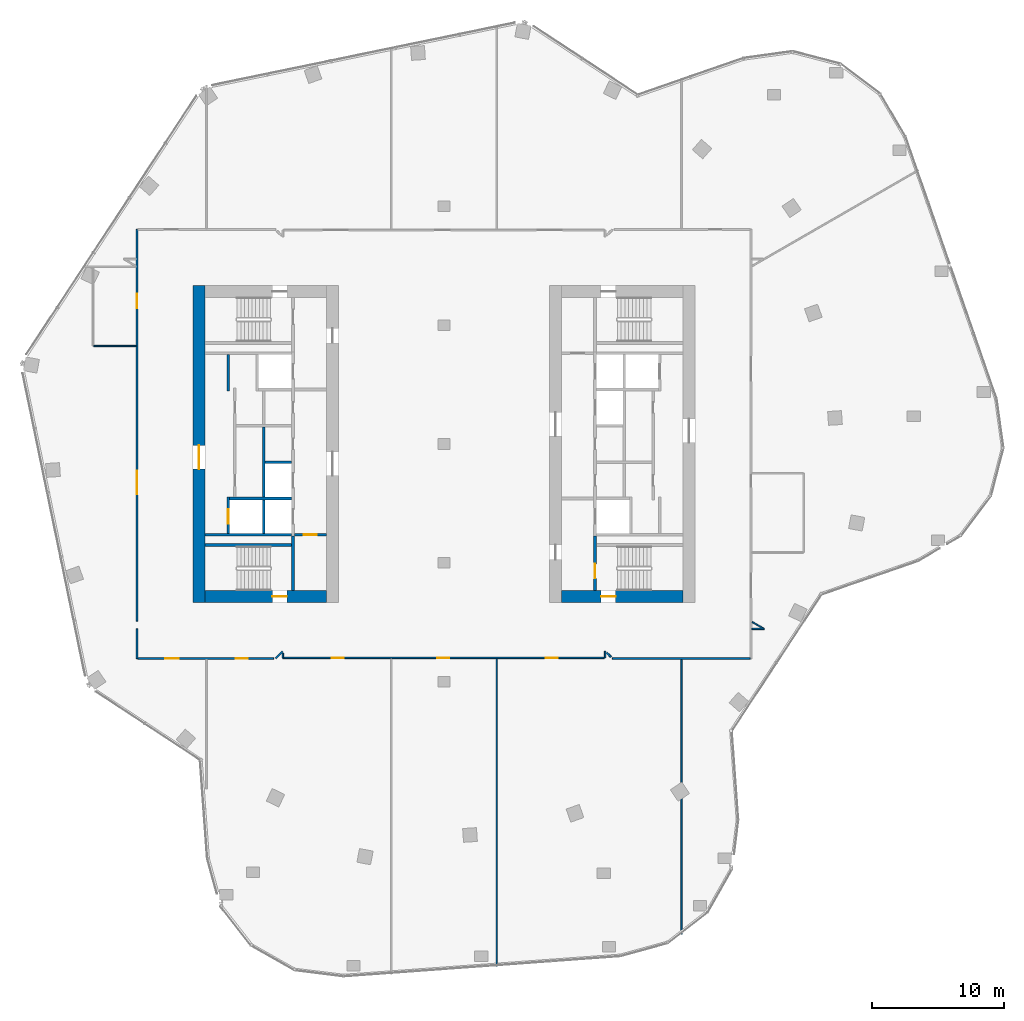
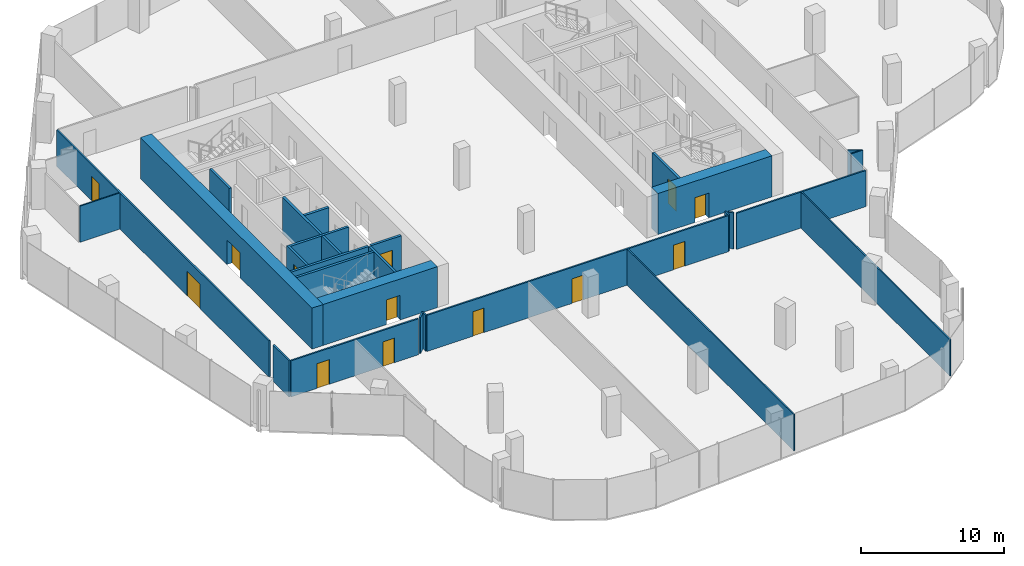
# One storey, part 18 of 24: 28 walls, 13 doors, 13 openings.
"""IFC4 building model written with IfcOpenShell, lengths in metres."""

from ifc_helpers import new_model, si_unit, direction, frame, frame_2d, origin, place, context, subcontext, project, spatial, rectangle, extrude, material, layer, layer_set, type_object, element, fill, save


model = new_model("IFC4")

# Units and contexts
model_context = context("Model", 3, precision=1e-05, world=origin(), true_north=direction((0.0, 1.0)))
body_context = subcontext(model_context, "Body", "Model", "MODEL_VIEW")
ifc_project = project(units=[si_unit("LENGTHUNIT", "METRE"), si_unit("AREAUNIT", "SQUARE_METRE"), si_unit("VOLUMEUNIT", "CUBIC_METRE"), si_unit("PLANEANGLEUNIT", "RADIAN"), si_unit("MASSUNIT", "GRAM", prefix="KILO")], contexts=[model_context])

# Site, building, storey
site_placement = place(None, origin())
site = spatial("IfcSite", under=ifc_project, at=site_placement, CompositionType="ELEMENT")
building_placement = place(site_placement, origin())
building = spatial("IfcBuilding", under=site, at=building_placement, Name="Orlundy Tower", CompositionType="ELEMENT")
storey_placement = place(building_placement, frame((0.0, 0.0, 242.5)))
storey = spatial("IfcBuildingStorey", under=building, at=storey_placement, Name="L64", CompositionType="ELEMENT", Elevation=242.5)

# Wall, opening, door
ifc_material_1 = material(Name="Concrete C60/75", Category="concrete")
ifc_layer_1 = layer(ifc_material_1, 0.89990234375)
ifc_layer_set_1 = layer_set([ifc_layer_1], Name="CORE WALL 900 C60/75")
wall_type_1 = type_object("IfcWallType", Name="CORE WALL 900 C60/75", PredefinedType="SHEAR", material=ifc_layer_set_1)
wall_1_placement = place(storey_placement, frame((-18.10009765625, -11.550048828125, 0.0), z_axis=(0.0, 0.0, 1.0), x_axis=(1.0, 0.0, 0.0)))
wall_1 = element("IfcWall", 1, at=wall_1_placement, inside=storey, type_object=wall_type_1, Name="Core wall W-S L64", PredefinedType="SHEAR", context=body_context, shape_type="SweptSolid", body=[
    extrude(rectangle(XDim=9.2001953125, YDim=0.89990234375, at=frame_2d((4.60009765625, 0.0))), origin(), (0.0, 0.0, 1.0), 3.5),
])
opening_1_placement = place(wall_1_placement, frame((5.10009765625, 0.0, 0.0)))
opening_1 = element("IfcOpeningElement", 2, at=opening_1_placement, cuts=wall_1, Name="Opening 48013", PredefinedType="OPENING", context=body_context, shape_type="SweptSolid", body=[
    extrude(rectangle(XDim=1.10009765625, YDim=2.10009765625, at=frame_2d((0.550048828125, 1.050048828125))), frame((0.0, 0.4599609375, 0.0), z_axis=(0.0, -1.0, 0.0), x_axis=(1.0, 0.0, 0.0)), (0.0, 0.0, 1.0), 0.919921875),
])
ifc_material_2 = material(Name="Steel door set", Category="steel")
door_type_1 = type_object("IfcDoorType", Name="Stair Door 1100x2100", OperationType="SINGLE_SWING_LEFT", PredefinedType="DOOR", material=ifc_material_2)
door_1_placement = place(opening_1_placement, origin())
door_1 = element("IfcDoor", 3, at=door_1_placement, inside=storey, type_object=door_type_1, Name="Stair door 48013", OperationType="SINGLE_SWING_RIGHT", OverallHeight=2.10009765625, OverallWidth=1.10009765625, PredefinedType="DOOR", context=body_context, shape_type="SweptSolid", body=[
    extrude(rectangle(XDim=1.10009765625, YDim=2.10009765625, at=frame_2d((0.550048828125, 1.050048828125))), frame((0.0, 0.02490234375, 0.0), z_axis=(0.0, -1.0, 0.0), x_axis=(1.0, 0.0, 0.0)), (0.0, 0.0, 1.0), 0.050048828125),
])
fill(opening_1, door_1)

wall_2_placement = place(storey_placement, frame((-18.550048828125, -12.0, 0.0), z_axis=(0.0, 0.0, 1.0), x_axis=(0.0, 1.0, 0.0)))
wall_2 = element("IfcWall", 4, at=wall_2_placement, inside=storey, type_object=wall_type_1, Name="Core wall W-W L64", PredefinedType="SHEAR", context=body_context, shape_type="SweptSolid", body=[
    extrude(rectangle(XDim=24.0, YDim=0.89990234375, at=frame_2d((12.0, 0.0))), origin(), (0.0, 0.0, 1.0), 3.5),
])
opening_2_placement = place(wall_2_placement, frame((10.10009765625, 0.0, 0.0)))
opening_2 = element("IfcOpeningElement", 5, at=opening_2_placement, cuts=wall_2, Name="Opening 48010", PredefinedType="OPENING", context=body_context, shape_type="SweptSolid", body=[
    extrude(rectangle(XDim=1.800048828125, YDim=2.10009765625, at=frame_2d((0.89990234375, 1.050048828125))), frame((0.0, 0.4599609375, 0.0), z_axis=(0.0, -1.0, 0.0), x_axis=(1.0, 0.0, 0.0)), (0.0, 0.0, 1.0), 0.919921875),
])
ifc_material_3 = material(Name="Timber door set", Category="wood")
door_type_2 = type_object("IfcDoorType", Name="Lobby Door 1800x2100", OperationType="DOUBLE_DOOR_DOUBLE_SWING", PredefinedType="DOOR", material=ifc_material_3)
door_2_placement = place(opening_2_placement, origin())
door_2 = element("IfcDoor", 6, at=door_2_placement, inside=storey, type_object=door_type_2, Name="Lift lobby door 48010", OperationType="SINGLE_SWING_LEFT", OverallHeight=2.10009765625, OverallWidth=1.800048828125, PredefinedType="DOOR", context=body_context, shape_type="SweptSolid", body=[
    extrude(rectangle(XDim=1.800048828125, YDim=2.10009765625, at=frame_2d((0.89990234375, 1.050048828125))), frame((0.0, 0.02490234375, 0.0), z_axis=(0.0, -1.0, 0.0), x_axis=(1.0, 0.0, 0.0)), (0.0, 0.0, 1.0), 0.050048828125),
])
fill(opening_2, door_2)

wall_3_placement = place(storey_placement, frame((8.89990234375, -11.550048828125, 0.0), z_axis=(0.0, 0.0, 1.0), x_axis=(1.0, 0.0, 0.0)))
wall_3 = element("IfcWall", 7, at=wall_3_placement, inside=storey, type_object=wall_type_1, Name="Core wall E-S L64", PredefinedType="SHEAR", context=body_context, shape_type="SweptSolid", body=[
    extrude(rectangle(XDim=9.2001953125, YDim=0.89990234375, at=frame_2d((4.60009765625, 0.0))), origin(), (0.0, 0.0, 1.0), 3.5),
])
opening_3_placement = place(wall_3_placement, frame((3.0, 0.0, 0.0)))
opening_3 = element("IfcOpeningElement", 8, at=opening_3_placement, cuts=wall_3, Name="Opening 48061", PredefinedType="OPENING", context=body_context, shape_type="SweptSolid", body=[
    extrude(rectangle(XDim=1.10009765625, YDim=2.10009765625, at=frame_2d((0.550048828125, 1.050048828125))), frame((0.0, 0.4599609375, 0.0), z_axis=(0.0, -1.0, 0.0), x_axis=(1.0, 0.0, 0.0)), (0.0, 0.0, 1.0), 0.919921875),
])
door_3_placement = place(opening_3_placement, origin())
door_3 = element("IfcDoor", 9, at=door_3_placement, inside=storey, type_object=door_type_1, Name="Stair door 48061", OperationType="SINGLE_SWING_LEFT", OverallHeight=2.10009765625, OverallWidth=1.10009765625, PredefinedType="DOOR", context=body_context, shape_type="SweptSolid", body=[
    extrude(rectangle(XDim=1.10009765625, YDim=2.10009765625, at=frame_2d((0.550048828125, 1.050048828125))), frame((0.0, 0.02490234375, 0.0), z_axis=(0.0, -1.0, 0.0), x_axis=(1.0, 0.0, 0.0)), (0.0, 0.0, 1.0), 0.050048828125),
])
fill(opening_3, door_3)

# Walls
ifc_material_4 = material(Name="Gypsum board partition")
ifc_layer_2 = layer(ifc_material_4, 0.10009765625)
ifc_layer_set_2 = layer_set([ifc_layer_2], Name="Floor partition 100")
wall_type_2 = type_object("IfcWallType", Name="Floor partition 100", PredefinedType="PARTITIONING", material=ifc_layer_set_2)
wall_4_placement = place(storey_placement, frame((23.337890625, -13.47412109375, 0.0), z_axis=(0.0, 0.0, 1.0), x_axis=(0.866295472041, -0.499531936037, 0.0)))
element("IfcWall", 10, at=wall_4_placement, inside=storey, type_object=wall_type_2, Name="wall-int-L64-005", PredefinedType="PARTITIONING", context=body_context, shape_type="SweptSolid", body=[
    extrude(rectangle(XDim=0.99853515625, YDim=0.10009765625, at=frame_2d((0.499267578125, 0.0))), origin(), (0.0, 0.0, 1.0), 3.080078125),
])
wall_5_placement = place(storey_placement, frame((23.31396484375, -14.0, 0.0), z_axis=(0.0, 0.0, 1.0), x_axis=(1.0, 0.0, 0.0)))
element("IfcWall", 11, at=wall_5_placement, inside=storey, type_object=wall_type_2, Name="wall-int-L64-009", PredefinedType="PARTITIONING", context=body_context, shape_type="SweptSolid", body=[
    extrude(rectangle(XDim=0.93310546875, YDim=0.10009765625, at=frame_2d((0.466552734375, 0.0))), origin(), (0.0, 0.0, 1.0), 3.080078125),
])
wall_6_placement = place(storey_placement, frame((-26.531982421875, 7.423095703125, 0.0), z_axis=(0.0, 0.0, 1.0), x_axis=(1.0, 0.0, 0.0)))
element("IfcWall", 12, at=wall_6_placement, inside=storey, type_object=wall_type_2, Name="wall-int-L64-012", PredefinedType="PARTITIONING", context=body_context, shape_type="SweptSolid", body=[
    extrude(rectangle(XDim=3.219970703125, YDim=0.10009765625, at=frame_2d((1.60986328125, 0.0))), origin(), (0.0, 0.0, 1.0), 3.080078125),
])
wall_7_placement = place(storey_placement, frame((18.0, -37.118896484375, 0.0), z_axis=(0.0, 0.0, 1.0), x_axis=(0.0, 1.0, 0.0)))
element("IfcWall", 13, at=wall_7_placement, inside=storey, type_object=wall_type_2, Name="wall-int-L64-025", PredefinedType="PARTITIONING", context=body_context, shape_type="SweptSolid", body=[
    extrude(rectangle(XDim=20.806884765625, YDim=0.10009765625, at=frame_2d((10.4033203125, 0.0))), origin(), (0.0, 0.0, 1.0), 3.080078125),
])
wall_8_placement = place(storey_placement, frame((4.0, -39.56494140625, 0.0), z_axis=(0.0, 0.0, 1.0), x_axis=(0.0, 1.0, 0.0)))
element("IfcWall", 14, at=wall_8_placement, inside=storey, type_object=wall_type_2, Name="wall-int-L64-029", PredefinedType="PARTITIONING", context=body_context, shape_type="SweptSolid", body=[
    extrude(rectangle(XDim=23.302978515625, YDim=0.10009765625, at=frame_2d((11.6513671875, 0.0))), origin(), (0.0, 0.0, 1.0), 3.080078125),
])
ifc_material_5 = material(Name="Gypsum board partition, double layer")
ifc_layer_3 = layer(ifc_material_5, 0.125)
ifc_layer_set_3 = layer_set([ifc_layer_3], Name="Floor partition 125")
wall_type_3 = type_object("IfcWallType", Name="Floor partition 125", PredefinedType="PARTITIONING", material=ifc_layer_set_3)
wall_9_placement = place(storey_placement, frame((-12.200927734375, -15.842041015625, 0.0), z_axis=(0.0, 0.0, 1.0), x_axis=(0.002728502804, -0.999996277629, 0.0)))
element("IfcWall", 15, at=wall_9_placement, inside=storey, type_object=wall_type_3, Name="wall-int-L64-001", PredefinedType="PARTITIONING", context=body_context, shape_type="SweptSolid", body=[
    extrude(rectangle(XDim=0.35791015625, YDim=0.125, at=frame_2d((0.178955078125, 0.0))), origin(), (0.0, 0.0, 1.0), 3.080078125),
])
wall_10_placement = place(storey_placement, frame((12.3291015625, -15.806884765625, 0.0), z_axis=(0.0, 0.0, 1.0), x_axis=(0.706834450471, -0.707379007059, 0.0)))
element("IfcWall", 16, at=wall_10_placement, inside=storey, type_object=wall_type_3, Name="wall-int-L64-002", PredefinedType="PARTITIONING", context=body_context, shape_type="SweptSolid", body=[
    extrude(rectangle(XDim=0.4482421875, YDim=0.125, at=frame_2d((0.22412109375, 0.0))), origin(), (0.0, 0.0, 1.0), 3.080078125),
])

# Wall, openings, doors
wall_11_placement = place(storey_placement, frame((-12.909912109375, -16.25, 0.0), z_axis=(0.0, 0.0, 1.0), x_axis=(-1.0, 0.0, 0.0)))
wall_11 = element("IfcWall", 17, at=wall_11_placement, inside=storey, type_object=wall_type_3, Name="wall-int-L64-006", PredefinedType="PARTITIONING", context=body_context, shape_type="SweptSolid", body=[
    extrude(rectangle(XDim=10.278076171875, YDim=0.125, at=frame_2d((5.13916015625, 0.0))), origin(), (0.0, 0.0, 1.0), 3.080078125),
])
opening_4_placement = place(wall_11_placement, frame((7.190185546875, 0.0, 0.0)))
opening_4 = element("IfcOpeningElement", 18, at=opening_4_placement, cuts=wall_11, Name="Opening 48100", PredefinedType="OPENING", context=body_context, shape_type="SweptSolid", body=[
    extrude(rectangle(XDim=1.0, YDim=2.10009765625, at=frame_2d((0.5, 1.050048828125))), frame((0.0, 0.072509765625, 0.0), z_axis=(0.0, -1.0, 0.0), x_axis=(1.0, 0.0, 0.0)), (0.0, 0.0, 1.0), 0.14501953125),
])
opening_5_placement = place(wall_11_placement, frame((1.94921875, 0.0, 0.0)))
opening_5 = element("IfcOpeningElement", 19, at=opening_5_placement, cuts=wall_11, Name="Opening 48101", PredefinedType="OPENING", context=body_context, shape_type="SweptSolid", body=[
    extrude(rectangle(XDim=0.89990234375, YDim=2.10009765625, at=frame_2d((0.449951171875, 1.050048828125))), frame((0.0, 0.072509765625, 0.0), z_axis=(0.0, -1.0, 0.0), x_axis=(1.0, 0.0, 0.0)), (0.0, 0.0, 1.0), 0.14501953125),
])
ifc_material_6 = material(Name="Timber door leaf", Category="wood")
door_type_3 = type_object("IfcDoorType", Name="Floor door single 900 FD30S", OperationType="NOTDEFINED", PredefinedType="DOOR", material=ifc_material_6)
door_4_placement = place(opening_5_placement, origin())
door_4 = element("IfcDoor", 20, at=door_4_placement, inside=storey, type_object=door_type_3, Name="Door 48101", OperationType="SINGLE_SWING_LEFT", OverallHeight=2.10009765625, OverallWidth=0.89990234375, PredefinedType="DOOR", context=body_context, shape_type="SweptSolid", body=[
    extrude(rectangle(XDim=0.89990234375, YDim=2.10009765625, at=frame_2d((0.449951171875, 1.050048828125))), frame((0.0, 0.02490234375, 0.0), z_axis=(0.0, -1.0, 0.0), x_axis=(1.0, 0.0, 0.0)), (0.0, 0.0, 1.0), 0.050048828125),
])
fill(opening_5, door_4)
ifc_material_7 = material(Name="Timber door leaf", Category="wood")
door_type_4 = type_object("IfcDoorType", Name="Floor door wide 1000 FD30S", OperationType="NOTDEFINED", PredefinedType="DOOR", material=ifc_material_7)
door_5_placement = place(opening_4_placement, origin())
door_5 = element("IfcDoor", 21, at=door_5_placement, inside=storey, type_object=door_type_4, Name="Door 48100", OperationType="SINGLE_SWING_RIGHT", OverallHeight=2.10009765625, OverallWidth=1.0, PredefinedType="DOOR", context=body_context, shape_type="SweptSolid", body=[
    extrude(rectangle(XDim=1.0, YDim=2.10009765625, at=frame_2d((0.5, 1.050048828125))), frame((0.0, 0.02490234375, 0.0), z_axis=(0.0, -1.0, 0.0), x_axis=(1.0, 0.0, 0.0)), (0.0, 0.0, 1.0), 0.050048828125),
])
fill(opening_4, door_5)

# Wall
wall_12_placement = place(storey_placement, frame((12.759033203125, -16.25, 0.0), z_axis=(0.0, 0.0, 1.0), x_axis=(1.0, 0.0, 0.0)))
element("IfcWall", 22, at=wall_12_placement, inside=storey, type_object=wall_type_3, Name="wall-int-L64-007", PredefinedType="PARTITIONING", context=body_context, shape_type="SweptSolid", body=[
    extrude(rectangle(XDim=10.429931640625, YDim=0.125, at=frame_2d((5.21484375, 0.0))), origin(), (0.0, 0.0, 1.0), 3.080078125),
])

# Wall, openings, doors
wall_13_placement = place(storey_placement, frame((12.138916015625, -16.199951171875, 0.0), z_axis=(0.0, 0.0, 1.0), x_axis=(-1.0, 0.0, 0.0)))
wall_13 = element("IfcWall", 23, at=wall_13_placement, inside=storey, type_object=wall_type_3, Name="wall-int-L64-008", PredefinedType="PARTITIONING", context=body_context, shape_type="SweptSolid", body=[
    extrude(rectangle(XDim=24.3388671875, YDim=0.125, at=frame_2d((12.16943359375, 0.0))), origin(), (0.0, 0.0, 1.0), 3.080078125),
])
opening_6_placement = place(wall_13_placement, frame((19.738525390625, 0.0, 0.0)))
opening_6 = element("IfcOpeningElement", 24, at=opening_6_placement, cuts=wall_13, Name="Opening 48102", PredefinedType="OPENING", context=body_context, shape_type="SweptSolid", body=[
    extrude(rectangle(XDim=0.89990234375, YDim=2.10009765625, at=frame_2d((0.449951171875, 1.050048828125))), frame((0.0, 0.072509765625, 0.0), z_axis=(0.0, -1.0, 0.0), x_axis=(1.0, 0.0, 0.0)), (0.0, 0.0, 1.0), 0.14501953125),
])
opening_7_placement = place(wall_13_placement, frame((11.738525390625, 0.0, 0.0)))
opening_7 = element("IfcOpeningElement", 25, at=opening_7_placement, cuts=wall_13, Name="Opening 48103", PredefinedType="OPENING", context=body_context, shape_type="SweptSolid", body=[
    extrude(rectangle(XDim=0.89990234375, YDim=2.10009765625, at=frame_2d((0.449951171875, 1.050048828125))), frame((0.0, 0.072509765625, 0.0), z_axis=(0.0, -1.0, 0.0), x_axis=(1.0, 0.0, 0.0)), (0.0, 0.0, 1.0), 0.14501953125),
])
opening_8_placement = place(wall_13_placement, frame((3.53759765625, 0.0, 0.0)))
opening_8 = element("IfcOpeningElement", 26, at=opening_8_placement, cuts=wall_13, Name="Opening 48104", PredefinedType="OPENING", context=body_context, shape_type="SweptSolid", body=[
    extrude(rectangle(XDim=0.89990234375, YDim=2.10009765625, at=frame_2d((0.449951171875, 1.050048828125))), frame((0.0, 0.072509765625, 0.0), z_axis=(0.0, -1.0, 0.0), x_axis=(1.0, 0.0, 0.0)), (0.0, 0.0, 1.0), 0.14501953125),
])
door_6_placement = place(opening_6_placement, origin())
door_6 = element("IfcDoor", 27, at=door_6_placement, inside=storey, type_object=door_type_3, Name="Door 48102", OperationType="SINGLE_SWING_RIGHT", OverallHeight=2.10009765625, OverallWidth=0.89990234375, PredefinedType="DOOR", context=body_context, shape_type="SweptSolid", body=[
    extrude(rectangle(XDim=0.89990234375, YDim=2.10009765625, at=frame_2d((0.449951171875, 1.050048828125))), frame((0.0, 0.02490234375, 0.0), z_axis=(0.0, -1.0, 0.0), x_axis=(1.0, 0.0, 0.0)), (0.0, 0.0, 1.0), 0.050048828125),
])
fill(opening_6, door_6)
door_7_placement = place(opening_7_placement, origin())
door_7 = element("IfcDoor", 28, at=door_7_placement, inside=storey, type_object=door_type_3, Name="Door 48103", OperationType="SINGLE_SWING_RIGHT", OverallHeight=2.10009765625, OverallWidth=0.89990234375, PredefinedType="DOOR", context=body_context, shape_type="SweptSolid", body=[
    extrude(rectangle(XDim=0.89990234375, YDim=2.10009765625, at=frame_2d((0.449951171875, 1.050048828125))), frame((0.0, 0.02490234375, 0.0), z_axis=(0.0, -1.0, 0.0), x_axis=(1.0, 0.0, 0.0)), (0.0, 0.0, 1.0), 0.050048828125),
])
fill(opening_7, door_7)
door_8_placement = place(opening_8_placement, origin())
door_8 = element("IfcDoor", 29, at=door_8_placement, inside=storey, type_object=door_type_3, Name="Door 48104", OperationType="SINGLE_SWING_LEFT", OverallHeight=2.10009765625, OverallWidth=0.89990234375, PredefinedType="DOOR", context=body_context, shape_type="SweptSolid", body=[
    extrude(rectangle(XDim=0.89990234375, YDim=2.10009765625, at=frame_2d((0.449951171875, 1.050048828125))), frame((0.0, 0.02490234375, 0.0), z_axis=(0.0, -1.0, 0.0), x_axis=(1.0, 0.0, 0.0)), (0.0, 0.0, 1.0), 0.050048828125),
])
fill(opening_8, door_8)

# Walls
wall_14_placement = place(storey_placement, frame((-12.7529296875, -16.23095703125, 0.0), z_axis=(0.0, 0.0, 1.0), x_axis=(0.707106781187, 0.707106781187, 0.0)))
element("IfcWall", 30, at=wall_14_placement, inside=storey, type_object=wall_type_3, Name="wall-int-L64-020", PredefinedType="PARTITIONING", context=body_context, shape_type="SweptSolid", body=[
    extrude(rectangle(XDim=0.7509765625, YDim=0.125, at=frame_2d((0.37548828125, 0.0))), origin(), (0.0, 0.0, 1.0), 3.080078125),
])
wall_15_placement = place(storey_placement, frame((12.200927734375, -16.199951171875, 0.0), z_axis=(0.0, 0.0, 1.0), x_axis=(0.0, 1.0, 0.0)))
element("IfcWall", 31, at=wall_15_placement, inside=storey, type_object=wall_type_3, Name="wall-int-L64-027", PredefinedType="PARTITIONING", context=body_context, shape_type="SweptSolid", body=[
    extrude(rectangle(XDim=0.508056640625, YDim=0.125, at=frame_2d((0.25390625, 0.0))), origin(), (0.0, 0.0, 1.0), 3.080078125),
])
wall_16_placement = place(storey_placement, frame((-23.25, -16.25, 0.0), z_axis=(0.0, 0.0, 1.0), x_axis=(0.0, 1.0, 0.0)))
element("IfcWall", 32, at=wall_16_placement, inside=storey, type_object=wall_type_3, Name="wall-int-L64-035", PredefinedType="PARTITIONING", context=body_context, shape_type="SweptSolid", body=[
    extrude(rectangle(XDim=2.25, YDim=0.125, at=frame_2d((1.125, 0.0))), origin(), (0.0, 0.0, 1.0), 3.080078125),
])

# Wall, openings, doors
wall_17_placement = place(storey_placement, frame((-23.25, -13.423095703125, 0.0), z_axis=(0.0, 0.0, 1.0), x_axis=(0.0, 1.0, 0.0)))
wall_17 = element("IfcWall", 33, at=wall_17_placement, inside=storey, type_object=wall_type_3, Name="wall-int-L64-036", PredefinedType="PARTITIONING", context=body_context, shape_type="SweptSolid", body=[
    extrude(rectangle(XDim=29.673095703125, YDim=0.125, at=frame_2d((14.83642578125, 0.0))), origin(), (0.0, 0.0, 1.0), 3.080078125),
])
opening_9_placement = place(wall_17_placement, frame((9.60009765625, 0.0, 0.0)))
opening_9 = element("IfcOpeningElement", 34, at=opening_9_placement, cuts=wall_17, Name="Opening 48112", PredefinedType="OPENING", context=body_context, shape_type="SweptSolid", body=[
    extrude(rectangle(XDim=1.800048828125, YDim=2.10009765625, at=frame_2d((0.89990234375, 1.050048828125))), frame((0.0, 0.072509765625, 0.0), z_axis=(0.0, -1.0, 0.0), x_axis=(1.0, 0.0, 0.0)), (0.0, 0.0, 1.0), 0.14501953125),
])
opening_10_placement = place(wall_17_placement, frame((23.696044921875, 0.0, 0.0)))
opening_10 = element("IfcOpeningElement", 35, at=opening_10_placement, cuts=wall_17, Name="Opening 48114", PredefinedType="OPENING", context=body_context, shape_type="SweptSolid", body=[
    extrude(rectangle(XDim=1.10009765625, YDim=2.10009765625, at=frame_2d((0.550048828125, 1.050048828125))), frame((0.0, 0.072509765625, 0.0), z_axis=(0.0, -1.0, 0.0), x_axis=(1.0, 0.0, 0.0)), (0.0, 0.0, 1.0), 0.14501953125),
])
ifc_material_8 = material(Name="Timber door leaf", Category="wood")
door_type_5 = type_object("IfcDoorType", Name="Floor door double 1800 FD30S", OperationType="NOTDEFINED", PredefinedType="DOOR", material=ifc_material_8)
door_9_placement = place(opening_9_placement, origin())
door_9 = element("IfcDoor", 36, at=door_9_placement, inside=storey, type_object=door_type_5, Name="Door 48112", OperationType="DOUBLE_DOOR_SINGLE_SWING", OverallHeight=2.10009765625, OverallWidth=1.800048828125, PredefinedType="DOOR", context=body_context, shape_type="SweptSolid", body=[
    extrude(rectangle(XDim=1.800048828125, YDim=2.10009765625, at=frame_2d((0.89990234375, 1.050048828125))), frame((0.0, 0.02490234375, 0.0), z_axis=(0.0, -1.0, 0.0), x_axis=(1.0, 0.0, 0.0)), (0.0, 0.0, 1.0), 0.050048828125),
])
fill(opening_9, door_9)
ifc_material_9 = material(Name="Timber door leaf", Category="wood")
door_type_6 = type_object("IfcDoorType", Name="Floor door xwide 1100 FD30S", OperationType="NOTDEFINED", PredefinedType="DOOR", material=ifc_material_9)
door_10_placement = place(opening_10_placement, origin())
door_10 = element("IfcDoor", 37, at=door_10_placement, inside=storey, type_object=door_type_6, Name="Door 48114", OperationType="SINGLE_SWING_RIGHT", OverallHeight=2.10009765625, OverallWidth=1.10009765625, PredefinedType="DOOR", context=body_context, shape_type="SweptSolid", body=[
    extrude(rectangle(XDim=1.10009765625, YDim=2.10009765625, at=frame_2d((0.550048828125, 1.050048828125))), frame((0.0, 0.02490234375, 0.0), z_axis=(0.0, -1.0, 0.0), x_axis=(1.0, 0.0, 0.0)), (0.0, 0.0, 1.0), 0.050048828125),
])
fill(opening_10, door_10)

# Walls
ifc_material_10 = material(Name="Concrete C40/50", Category="concrete")
ifc_layer_4 = layer(ifc_material_10, 0.199951171875)
ifc_layer_set_4 = layer_set([ifc_layer_4], Name="Load-bearing Shaft Wall 200")
wall_type_4 = type_object("IfcWallType", Name="Load-bearing Shaft Wall 200", PredefinedType="SOLIDWALL", material=ifc_layer_set_4)
wall_18_placement = place(storey_placement, frame((-11.43994140625, -11.10009765625, 0.0), z_axis=(0.0, 0.0, 1.0), x_axis=(0.0, 1.0, 0.0)))
element("IfcWall", 38, at=wall_18_placement, inside=storey, type_object=wall_type_4, Name="Shaft wall W48-stair-end-s", PredefinedType="SOLIDWALL", context=body_context, shape_type="SweptSolid", body=[
    extrude(rectangle(XDim=4.125, YDim=0.199951171875, at=frame_2d((2.0625, 0.0))), origin(), (0.0, 0.0, 1.0), 3.090087890625),
])
wall_19_placement = place(storey_placement, frame((-11.5400390625, -7.64990234375, 0.0), z_axis=(0.0, 0.0, 1.0), x_axis=(-1.0, 0.0, 0.0)))
element("IfcWall", 39, at=wall_19_placement, inside=storey, type_object=wall_type_4, Name="Shaft wall W48-stair-side-s", PredefinedType="SOLIDWALL", context=body_context, shape_type="SweptSolid", body=[
    extrude(rectangle(XDim=6.56005859375, YDim=0.199951171875, at=frame_2d((3.280029296875, 0.0))), origin(), (0.0, 0.0, 1.0), 3.090087890625),
])

# Wall, opening, door
wall_20_placement = place(storey_placement, frame((11.43994140625, -6.97509765625, 0.0), z_axis=(0.0, 0.0, 1.0), x_axis=(0.0, -1.0, 0.0)))
wall_20 = element("IfcWall", 40, at=wall_20_placement, inside=storey, type_object=wall_type_4, Name="Shaft wall E48-stair-end-n", PredefinedType="SOLIDWALL", context=body_context, shape_type="SweptSolid", body=[
    extrude(rectangle(XDim=4.125, YDim=0.199951171875, at=frame_2d((2.0625, 0.0))), origin(), (0.0, 0.0, 1.0), 3.090087890625),
])
opening_11_placement = place(wall_20_placement, frame((2.10009765625, 0.0, 0.0)))
opening_11 = element("IfcOpeningElement", 41, at=opening_11_placement, cuts=wall_20, Name="Opening 48063", PredefinedType="OPENING", context=body_context, shape_type="SweptSolid", body=[
    extrude(rectangle(XDim=1.10009765625, YDim=2.10009765625, at=frame_2d((0.550048828125, 1.050048828125))), frame((0.0, 0.110107421875, 0.0), z_axis=(0.0, -1.0, 0.0), x_axis=(1.0, 0.0, 0.0)), (0.0, 0.0, 1.0), 0.22021484375),
])
ifc_material_11 = material(Name="Steel door set", Category="steel")
door_type_7 = type_object("IfcDoorType", Name="Fire-fighting Lobby Door 1100x2100", OperationType="SINGLE_SWING_LEFT", PredefinedType="DOOR", material=ifc_material_11)
door_11_placement = place(opening_11_placement, origin())
door_11 = element("IfcDoor", 42, at=door_11_placement, inside=storey, type_object=door_type_7, Name="Fire-fighting lobby to stair door 48063", OperationType="SINGLE_SWING_RIGHT", OverallHeight=2.10009765625, OverallWidth=1.10009765625, PredefinedType="DOOR", context=body_context, shape_type="SweptSolid", body=[
    extrude(rectangle(XDim=1.10009765625, YDim=2.10009765625, at=frame_2d((0.550048828125, 1.050048828125))), frame((0.0, 0.02490234375, 0.0), z_axis=(0.0, -1.0, 0.0), x_axis=(1.0, 0.0, 0.0)), (0.0, 0.0, 1.0), 0.050048828125),
])
fill(opening_11, door_11)

ifc_material_12 = material(Name="Gypsum board partition on steel studs", Category="steel")
ifc_layer_5 = layer(ifc_material_12, 0.199951171875)
ifc_layer_set_5 = layer_set([ifc_layer_5], Name="Partition 200")
wall_type_5 = type_object("IfcWallType", Name="Partition 200", PredefinedType="PARTITIONING", material=ifc_layer_set_5)
wall_21_placement = place(storey_placement, frame((-8.89990234375, -6.875, 0.0), z_axis=(0.0, 0.0, 1.0), x_axis=(-1.0, 0.0, 0.0)))
wall_21 = element("IfcWall", 43, at=wall_21_placement, inside=storey, type_object=wall_type_5, Name="Partition wall W48-end-s", PredefinedType="PARTITIONING", context=body_context, shape_type="SweptSolid", body=[
    extrude(rectangle(XDim=2.440185546875, YDim=0.199951171875, at=frame_2d((1.22021484375, 0.0))), origin(), (0.0, 0.0, 1.0), 3.090087890625),
])
opening_12_placement = place(wall_21_placement, frame((0.719970703125, 0.0, 0.0)))
opening_12 = element("IfcOpeningElement", 44, at=opening_12_placement, cuts=wall_21, Name="Opening 48015", PredefinedType="OPENING", context=body_context, shape_type="SweptSolid", body=[
    extrude(rectangle(XDim=1.0, YDim=2.10009765625, at=frame_2d((0.5, 1.050048828125))), frame((0.0, 0.110107421875, 0.0), z_axis=(0.0, -1.0, 0.0), x_axis=(1.0, 0.0, 0.0)), (0.0, 0.0, 1.0), 0.22021484375),
])
ifc_material_13 = material(Name="Timber door set", Category="wood")
door_type_8 = type_object("IfcDoorType", Name="Accessible Door 1000x2100", OperationType="SINGLE_SWING_LEFT", PredefinedType="DOOR", material=ifc_material_13)
door_12_placement = place(opening_12_placement, origin())
door_12 = element("IfcDoor", 45, at=door_12_placement, inside=storey, type_object=door_type_8, Name="Accessible WC door 48015", OperationType="SINGLE_SWING_RIGHT", OverallHeight=2.10009765625, OverallWidth=1.0, PredefinedType="DOOR", context=body_context, shape_type="SweptSolid", body=[
    extrude(rectangle(XDim=1.0, YDim=2.10009765625, at=frame_2d((0.5, 1.050048828125))), frame((0.0, 0.02490234375, 0.0), z_axis=(0.0, -1.0, 0.0), x_axis=(1.0, 0.0, 0.0)), (0.0, 0.0, 1.0), 0.050048828125),
])
fill(opening_12, door_12)

# Walls
ifc_material_14 = material(Name="Fire-rated blockwork shaft wall", Category="masonry")
ifc_layer_6 = layer(ifc_material_14, 0.199951171875)
ifc_layer_set_6 = layer_set([ifc_layer_6], Name="Shaft Wall 200")
wall_type_6 = type_object("IfcWallType", Name="Shaft Wall 200", PredefinedType="SOLIDWALL", material=ifc_layer_set_6)
wall_22_placement = place(storey_placement, frame((-11.5400390625, -6.875, 0.0), z_axis=(0.0, 0.0, 1.0), x_axis=(-1.0, 0.0, 0.0)))
element("IfcWall", 46, at=wall_22_placement, inside=storey, type_object=wall_type_6, Name="Shaft wall W48-zone-s", PredefinedType="SOLIDWALL", context=body_context, shape_type="SweptSolid", body=[
    extrude(rectangle(XDim=6.56005859375, YDim=0.199951171875, at=frame_2d((3.280029296875, 0.0))), origin(), (0.0, 0.0, 1.0), 3.090087890625),
])
wall_23_placement = place(storey_placement, frame((-11.5400390625, -4.125, 0.0), z_axis=(0.0, 0.0, 1.0), x_axis=(-1.0, 0.0, 0.0)))
element("IfcWall", 47, at=wall_23_placement, inside=storey, type_object=wall_type_6, Name="Shaft wall W48-cross-4.125", PredefinedType="SOLIDWALL", context=body_context, shape_type="SweptSolid", body=[
    extrude(rectangle(XDim=4.699951171875, YDim=0.199951171875, at=frame_2d((2.35009765625, 0.0))), origin(), (0.0, 0.0, 1.0), 3.090087890625),
])
wall_24_placement = place(storey_placement, frame((-11.5400390625, -1.375, 0.0), z_axis=(0.0, 0.0, 1.0), x_axis=(-1.0, 0.0, 0.0)))
element("IfcWall", 48, at=wall_24_placement, inside=storey, type_object=wall_type_6, Name="Shaft wall W48-cross-1.375", PredefinedType="SOLIDWALL", context=body_context, shape_type="SweptSolid", body=[
    extrude(rectangle(XDim=2.0, YDim=0.199951171875, at=frame_2d((1.0, 0.0))), origin(), (0.0, 0.0, 1.0), 3.090087890625),
])
wall_25_placement = place(storey_placement, frame((-13.639892578125, -6.77490234375, 0.0), z_axis=(0.0, 0.0, 1.0), x_axis=(0.0, 1.0, 0.0)))
element("IfcWall", 49, at=wall_25_placement, inside=storey, type_object=wall_type_6, Name="Shaft wall W48-mid-a", PredefinedType="SOLIDWALL", context=body_context, shape_type="SweptSolid", body=[
    extrude(rectangle(XDim=2.5498046875, YDim=0.199951171875, at=frame_2d((1.27490234375, 0.0))), origin(), (0.0, 0.0, 1.0), 3.090087890625),
])
wall_26_placement = place(storey_placement, frame((-13.639892578125, -4.02490234375, 0.0), z_axis=(0.0, 0.0, 1.0), x_axis=(0.0, 1.0, 0.0)))
element("IfcWall", 50, at=wall_26_placement, inside=storey, type_object=wall_type_6, Name="Shaft wall W48-mid-a.1", PredefinedType="SOLIDWALL", context=body_context, shape_type="SweptSolid", body=[
    extrude(rectangle(XDim=5.2998046875, YDim=0.199951171875, at=frame_2d((2.64990234375, 0.0))), origin(), (0.0, 0.0, 1.0), 3.090087890625),
])

# Wall, opening, door
wall_27_placement = place(storey_placement, frame((-16.340087890625, -6.77490234375, 0.0), z_axis=(0.0, 0.0, 1.0), x_axis=(0.0, 1.0, 0.0)))
wall_27 = element("IfcWall", 51, at=wall_27_placement, inside=storey, type_object=wall_type_6, Name="Shaft wall W48-front-o-a", PredefinedType="SOLIDWALL", context=body_context, shape_type="SweptSolid", body=[
    extrude(rectangle(XDim=2.75, YDim=0.199951171875, at=frame_2d((1.375, 0.0))), origin(), (0.0, 0.0, 1.0), 3.090087890625),
])
opening_13_placement = place(wall_27_placement, frame((0.72509765625, 0.0, 0.0)))
opening_13 = element("IfcOpeningElement", 52, at=opening_13_placement, cuts=wall_27, Name="Opening 48002", PredefinedType="OPENING", context=body_context, shape_type="SweptSolid", body=[
    extrude(rectangle(XDim=1.10009765625, YDim=2.10009765625, at=frame_2d((0.550048828125, 1.050048828125))), frame((0.0, 0.110107421875, 0.0), z_axis=(0.0, -1.0, 0.0), x_axis=(1.0, 0.0, 0.0)), (0.0, 0.0, 1.0), 0.22021484375),
])
ifc_material_15 = material(Name="Steel door set", Category="steel")
door_type_9 = type_object("IfcDoorType", Name="Landing Door 1100x2100", OperationType="DOUBLE_DOOR_SLIDING", PredefinedType="DOOR", material=ifc_material_15)
door_13_placement = place(opening_13_placement, origin())
door_13 = element("IfcDoor", 53, at=door_13_placement, inside=storey, type_object=door_type_9, Name="Lift landing door LV-01 48002", OperationType="DOUBLE_DOOR_SLIDING", OverallHeight=2.10009765625, OverallWidth=1.10009765625, PredefinedType="DOOR", context=body_context, shape_type="SweptSolid", body=[
    extrude(rectangle(XDim=1.10009765625, YDim=2.10009765625, at=frame_2d((0.550048828125, 1.050048828125))), frame((0.0, 0.02490234375, 0.0), z_axis=(0.0, -1.0, 0.0), x_axis=(1.0, 0.0, 0.0)), (0.0, 0.0, 1.0), 0.050048828125),
])
fill(opening_13, door_13)

# Wall
wall_28_placement = place(storey_placement, frame((-16.340087890625, 4.02490234375, 0.0), z_axis=(0.0, 0.0, 1.0), x_axis=(0.0, 1.0, 0.0)))
element("IfcWall", 54, at=wall_28_placement, inside=storey, type_object=wall_type_6, Name="Shaft wall W48-front-o-c", PredefinedType="SOLIDWALL", context=body_context, shape_type="SweptSolid", body=[
    extrude(rectangle(XDim=2.75, YDim=0.199951171875, at=frame_2d((1.375, 0.0))), origin(), (0.0, 0.0, 1.0), 3.090087890625),
])

save(model, "model.ifc")
